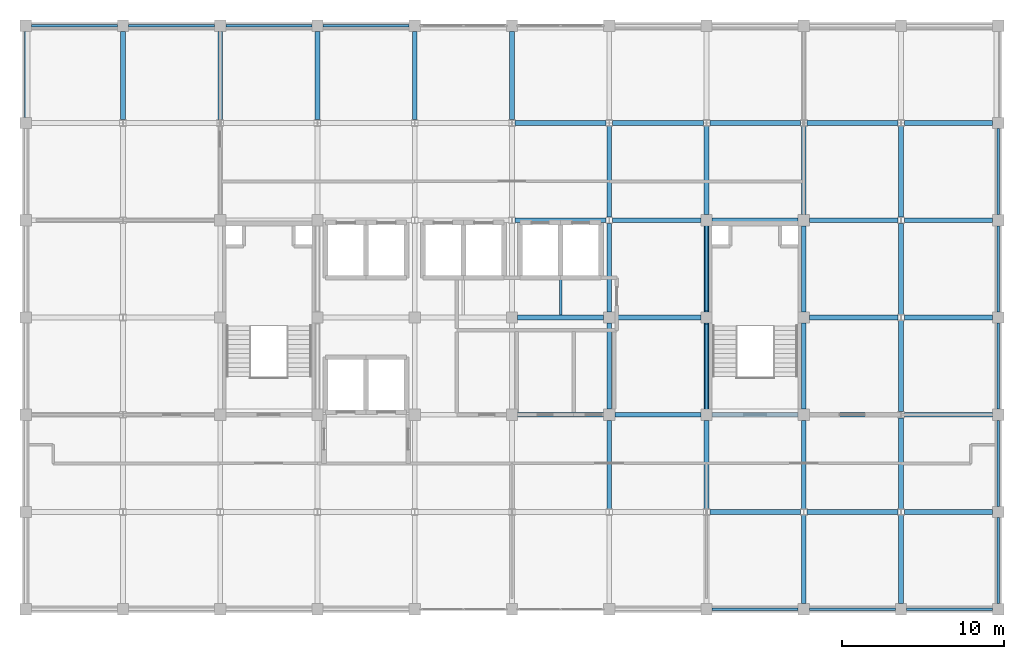
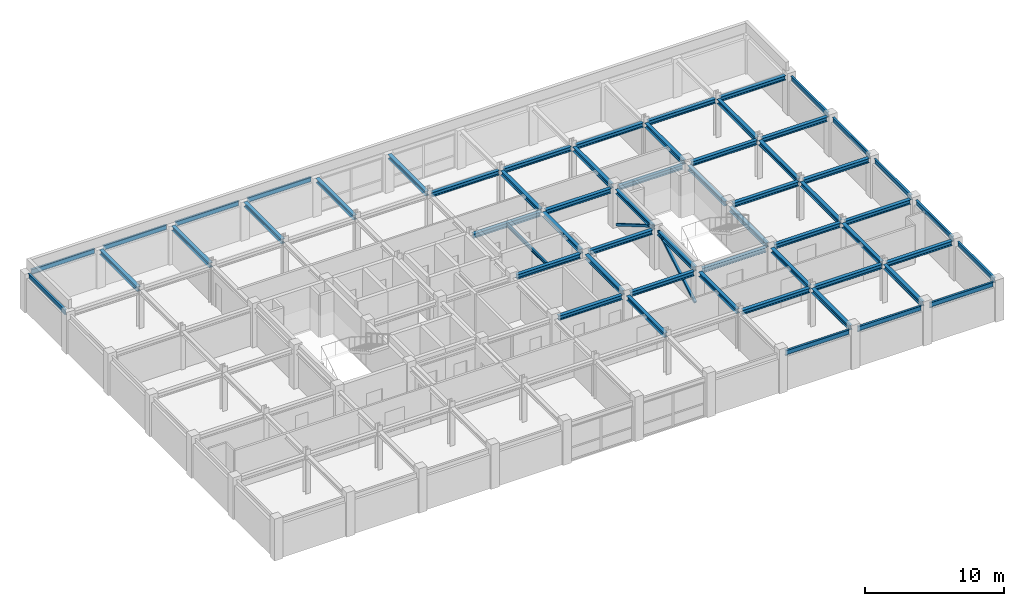
# One storey, part 7 of 12: 59 beams, 2 members.
"""IFC4 building model written with IfcOpenShell, lengths in metres."""

from ifc_helpers import new_model, si_unit, direction, frame, origin, origin_2d, place, context, subcontext, project, spatial, hollow_rectangle, i_section, extrude, material, material_profile, profile_set, type_object, element, save


model = new_model("IFC4")

# Units and contexts
model_context = context("Model", 3, precision=1e-05, world=origin(), true_north=direction((0.0, 1.0)))
body_context = subcontext(model_context, "Body", "Model", "MODEL_VIEW")
ifc_project = project(units=[si_unit("LENGTHUNIT", "METRE"), si_unit("AREAUNIT", "SQUARE_METRE"), si_unit("VOLUMEUNIT", "CUBIC_METRE"), si_unit("PLANEANGLEUNIT", "RADIAN"), si_unit("MASSUNIT", "GRAM", prefix="KILO")], contexts=[model_context])

# Site, building, storey
site_placement = place(None, origin())
site = spatial("IfcSite", under=ifc_project, at=site_placement, CompositionType="ELEMENT")
building_placement = place(site_placement, origin())
building = spatial("IfcBuilding", under=site, at=building_placement, Name="Zlatovratsky Civic Hall", CompositionType="ELEMENT")
storey_placement = place(building_placement, frame((0.0, 0.0, 32.699951171875)))
storey = spatial("IfcBuildingStorey", under=building, at=storey_placement, Name="L08", CompositionType="ELEMENT", Elevation=32.699951171875)

# Beams
ifc_material = material(Name="Steel S355", Category="steel")
ifc_material_profile_1 = material_profile(ifc_material, i_section(OverallWidth=0.169921875, OverallDepth=0.446044921875, WebThickness=0.007568359375, FlangeThickness=0.010986328125, FilletRadius=0.01611328125, at=origin_2d()), Name="45B1")
ifc_profile_set_1 = profile_set([ifc_material_profile_1], Name="Steel S355")
beam_type_1 = type_object("IfcBeamType", Name="Beam_Spandrel_45B1", PredefinedType="SPANDREL", material=ifc_profile_set_1)
for number, where, z_axis, x_axis, name in (
    (1, (96.35009765625, 72.0, 3.177001953125), (1.0, 0.0, 0.0), (0.0, 1.0, 0.0), "BM-4388"),
    (2, (102.35009765625, 72.0, 3.177001953125), (1.0, 0.0, 0.0), (0.0, 1.0, 0.0), "BM-4389"),
    (3, (108.35009765625, 72.0, 3.177001953125), (1.0, 0.0, 0.0), (0.0, 1.0, 0.0), "BM-4390"),
    (4, (54.35009765625, 108.0, 3.177001953125), (1.0, 0.0, 0.0), (0.0, 1.0, 0.0), "BM-4439"),
    (5, (60.35009765625, 108.0, 3.177001953125), (1.0, 0.0, 0.0), (0.0, 1.0, 0.0), "BM-4440"),
    (6, (66.35009765625, 108.0, 3.177001953125), (1.0, 0.0, 0.0), (0.0, 1.0, 0.0), "BM-4441"),
    (7, (72.35009765625, 108.0, 3.177001953125), (1.0, 0.0, 0.0), (0.0, 1.0, 0.0), "BM-4442"),
    (8, (54.0, 102.35009765625, 3.177001953125), (0.0, 1.0, 0.0), (-1.0, 0.0, 0.0), "BM-4454"),
    (9, (114.0, 72.35009765625, 3.177001953125), (0.0, 1.0, 0.0), (-1.0, 0.0, 0.0), "BM-4509"),
    (10, (114.0, 78.35009765625, 3.177001953125), (0.0, 1.0, 0.0), (-1.0, 0.0, 0.0), "BM-4510"),
    (11, (114.0, 84.35009765625, 3.177001953125), (0.0, 1.0, 0.0), (-1.0, 0.0, 0.0), "BM-4511"),
    (12, (114.0, 90.35009765625, 3.177001953125), (0.0, 1.0, 0.0), (-1.0, 0.0, 0.0), "BM-4512"),
    (13, (114.0, 96.35009765625, 3.177001953125), (0.0, 1.0, 0.0), (-1.0, 0.0, 0.0), "BM-4513"),
):
    element("IfcBeam", number, at=place(storey_placement, frame(where, z_axis=z_axis, x_axis=x_axis)), inside=storey, type_object=beam_type_1, Name=name, PredefinedType="SPANDREL", context=body_context, shape_type="SweptSolid", body=[
        extrude(i_section(OverallWidth=0.169921875, OverallDepth=0.446044921875, WebThickness=0.007568359375, FlangeThickness=0.010986328125, FilletRadius=0.01611328125, at=origin_2d()), origin(), (0.0, 0.0, 1.0), 5.2998046875),
    ])
ifc_material_profile_2 = material_profile(ifc_material, i_section(OverallWidth=0.300048828125, OverallDepth=0.387939453125, WebThickness=0.009521484375, FlangeThickness=0.013916015625, FilletRadius=0.02197265625, at=origin_2d()), Name="40Sh1")
ifc_profile_set_2 = profile_set([ifc_material_profile_2], Name="Steel S355")
beam_type_2 = type_object("IfcBeamType", Name="Beam_TowerMid_40Sh1", PredefinedType="BEAM", material=ifc_profile_set_2)
for number, where, z_axis, x_axis, name in (
    (14, (96.198974609375, 78.0, 3.2060546875), (1.0, 0.0, 0.0), (0.0, 1.0, 0.0), "BM-4398"),
    (15, (102.198974609375, 78.0, 3.2060546875), (1.0, 0.0, 0.0), (0.0, 1.0, 0.0), "BM-4399"),
):
    element("IfcBeam", number, at=place(storey_placement, frame(where, z_axis=z_axis, x_axis=x_axis)), inside=storey, type_object=beam_type_2, Name=name, PredefinedType="BEAM", context=body_context, shape_type="SweptSolid", body=[
        extrude(i_section(OverallWidth=0.300048828125, OverallDepth=0.387939453125, WebThickness=0.009521484375, FlangeThickness=0.013916015625, FilletRadius=0.02197265625, at=origin_2d()), origin(), (0.0, 0.0, 1.0), 5.60205078125),
    ])
beam_1_placement = place(storey_placement, frame((108.198974609375, 78.0, 3.2060546875), z_axis=(1.0, 0.0, 0.0), x_axis=(0.0, 1.0, 0.0)))
element("IfcBeam", 16, at=beam_1_placement, inside=storey, type_object=beam_type_2, Name="BM-4400", PredefinedType="BEAM", context=body_context, shape_type="SweptSolid", body=[
    extrude(i_section(OverallWidth=0.300048828125, OverallDepth=0.387939453125, WebThickness=0.009521484375, FlangeThickness=0.013916015625, FilletRadius=0.02197265625, at=origin_2d()), origin(), (0.0, 0.0, 1.0), 5.450927734375),
])
for number, where, z_axis, x_axis, name in (
    (17, (84.35009765625, 84.0, 3.2060546875), (1.0, 0.0, 0.0), (0.0, 1.0, 0.0), "BM-4406"),
    (18, (90.35009765625, 84.0, 3.2060546875), (1.0, 0.0, 0.0), (0.0, 1.0, 0.0), "BM-4407"),
    (19, (96.35009765625, 84.0, 3.2060546875), (1.0, 0.0, 0.0), (0.0, 1.0, 0.0), "BM-4408"),
):
    element("IfcBeam", number, at=place(storey_placement, frame(where, z_axis=z_axis, x_axis=x_axis)), inside=storey, type_object=beam_type_2, Name=name, PredefinedType="BEAM", context=body_context, shape_type="SweptSolid", body=[
        extrude(i_section(OverallWidth=0.300048828125, OverallDepth=0.387939453125, WebThickness=0.009521484375, FlangeThickness=0.013916015625, FilletRadius=0.02197265625, at=origin_2d()), origin(), (0.0, 0.0, 1.0), 5.2998046875),
    ])
for number, where, z_axis, x_axis, name in (
    (20, (102.35009765625, 84.0, 3.2060546875), (1.0, 0.0, 0.0), (0.0, 1.0, 0.0), "BM-4409"),
    (21, (108.198974609375, 84.0, 3.2060546875), (1.0, 0.0, 0.0), (0.0, 1.0, 0.0), "BM-4410"),
):
    element("IfcBeam", number, at=place(storey_placement, frame(where, z_axis=z_axis, x_axis=x_axis)), inside=storey, type_object=beam_type_2, Name=name, PredefinedType="BEAM", context=body_context, shape_type="SweptSolid", body=[
        extrude(i_section(OverallWidth=0.300048828125, OverallDepth=0.387939453125, WebThickness=0.009521484375, FlangeThickness=0.013916015625, FilletRadius=0.02197265625, at=origin_2d()), origin(), (0.0, 0.0, 1.0), 5.450927734375),
    ])
for number, where, z_axis, x_axis, name in (
    (22, (84.35009765625, 90.0, 3.2060546875), (1.0, 0.0, 0.0), (0.0, 1.0, 0.0), "BM-4415"),
    (23, (90.35009765625, 90.0, 3.2060546875), (1.0, 0.0, 0.0), (0.0, 1.0, 0.0), "BM-4416"),
):
    element("IfcBeam", number, at=place(storey_placement, frame(where, z_axis=z_axis, x_axis=x_axis)), inside=storey, type_object=beam_type_2, Name=name, PredefinedType="BEAM", context=body_context, shape_type="SweptSolid", body=[
        extrude(i_section(OverallWidth=0.300048828125, OverallDepth=0.387939453125, WebThickness=0.009521484375, FlangeThickness=0.013916015625, FilletRadius=0.02197265625, at=origin_2d()), origin(), (0.0, 0.0, 1.0), 5.2998046875),
    ])
for number, where, z_axis, x_axis, name in (
    (24, (102.35009765625, 90.0, 3.2060546875), (1.0, 0.0, 0.0), (0.0, 1.0, 0.0), "BM-4417"),
    (25, (108.198974609375, 90.0, 3.2060546875), (1.0, 0.0, 0.0), (0.0, 1.0, 0.0), "BM-4418"),
):
    element("IfcBeam", number, at=place(storey_placement, frame(where, z_axis=z_axis, x_axis=x_axis)), inside=storey, type_object=beam_type_2, Name=name, PredefinedType="BEAM", context=body_context, shape_type="SweptSolid", body=[
        extrude(i_section(OverallWidth=0.300048828125, OverallDepth=0.387939453125, WebThickness=0.009521484375, FlangeThickness=0.013916015625, FilletRadius=0.02197265625, at=origin_2d()), origin(), (0.0, 0.0, 1.0), 5.450927734375),
    ])
beam_2_placement = place(storey_placement, frame((84.198974609375, 96.0, 3.2060546875), z_axis=(1.0, 0.0, 0.0), x_axis=(0.0, 1.0, 0.0)))
element("IfcBeam", 26, at=beam_2_placement, inside=storey, type_object=beam_type_2, Name="BM-4424", PredefinedType="BEAM", context=body_context, shape_type="SweptSolid", body=[
    extrude(i_section(OverallWidth=0.300048828125, OverallDepth=0.387939453125, WebThickness=0.009521484375, FlangeThickness=0.013916015625, FilletRadius=0.02197265625, at=origin_2d()), origin(), (0.0, 0.0, 1.0), 5.60205078125),
])
beam_3_placement = place(storey_placement, frame((90.198974609375, 96.0, 3.2060546875), z_axis=(1.0, 0.0, 0.0), x_axis=(0.0, 1.0, 0.0)))
element("IfcBeam", 27, at=beam_3_placement, inside=storey, type_object=beam_type_2, Name="BM-4425", PredefinedType="BEAM", context=body_context, shape_type="SweptSolid", body=[
    extrude(i_section(OverallWidth=0.300048828125, OverallDepth=0.387939453125, WebThickness=0.009521484375, FlangeThickness=0.013916015625, FilletRadius=0.02197265625, at=origin_2d()), origin(), (0.0, 0.0, 1.0), 5.450927734375),
])
beam_4_placement = place(storey_placement, frame((96.35009765625, 96.0, 3.2060546875), z_axis=(1.0, 0.0, 0.0), x_axis=(0.0, 1.0, 0.0)))
element("IfcBeam", 28, at=beam_4_placement, inside=storey, type_object=beam_type_2, Name="BM-4426", PredefinedType="BEAM", context=body_context, shape_type="SweptSolid", body=[
    extrude(i_section(OverallWidth=0.300048828125, OverallDepth=0.387939453125, WebThickness=0.009521484375, FlangeThickness=0.013916015625, FilletRadius=0.02197265625, at=origin_2d()), origin(), (0.0, 0.0, 1.0), 5.2998046875),
])
for number, where, z_axis, x_axis, name in (
    (29, (102.35009765625, 96.0, 3.2060546875), (1.0, 0.0, 0.0), (0.0, 1.0, 0.0), "BM-4427"),
    (30, (108.198974609375, 96.0, 3.2060546875), (1.0, 0.0, 0.0), (0.0, 1.0, 0.0), "BM-4428"),
):
    element("IfcBeam", number, at=place(storey_placement, frame(where, z_axis=z_axis, x_axis=x_axis)), inside=storey, type_object=beam_type_2, Name=name, PredefinedType="BEAM", context=body_context, shape_type="SweptSolid", body=[
        extrude(i_section(OverallWidth=0.300048828125, OverallDepth=0.387939453125, WebThickness=0.009521484375, FlangeThickness=0.013916015625, FilletRadius=0.02197265625, at=origin_2d()), origin(), (0.0, 0.0, 1.0), 5.450927734375),
    ])
for number, where, z_axis, x_axis, name in (
    (31, (84.198974609375, 102.0, 3.2060546875), (1.0, 0.0, 0.0), (0.0, 1.0, 0.0), "BM-4434"),
    (32, (90.198974609375, 102.0, 3.2060546875), (1.0, 0.0, 0.0), (0.0, 1.0, 0.0), "BM-4435"),
    (33, (96.198974609375, 102.0, 3.2060546875), (1.0, 0.0, 0.0), (0.0, 1.0, 0.0), "BM-4436"),
    (34, (102.198974609375, 102.0, 3.2060546875), (1.0, 0.0, 0.0), (0.0, 1.0, 0.0), "BM-4437"),
):
    element("IfcBeam", number, at=place(storey_placement, frame(where, z_axis=z_axis, x_axis=x_axis)), inside=storey, type_object=beam_type_2, Name=name, PredefinedType="BEAM", context=body_context, shape_type="SweptSolid", body=[
        extrude(i_section(OverallWidth=0.300048828125, OverallDepth=0.387939453125, WebThickness=0.009521484375, FlangeThickness=0.013916015625, FilletRadius=0.02197265625, at=origin_2d()), origin(), (0.0, 0.0, 1.0), 5.60205078125),
    ])
beam_5_placement = place(storey_placement, frame((108.198974609375, 102.0, 3.2060546875), z_axis=(1.0, 0.0, 0.0), x_axis=(0.0, 1.0, 0.0)))
element("IfcBeam", 35, at=beam_5_placement, inside=storey, type_object=beam_type_2, Name="BM-4438", PredefinedType="BEAM", context=body_context, shape_type="SweptSolid", body=[
    extrude(i_section(OverallWidth=0.300048828125, OverallDepth=0.387939453125, WebThickness=0.009521484375, FlangeThickness=0.013916015625, FilletRadius=0.02197265625, at=origin_2d()), origin(), (0.0, 0.0, 1.0), 5.450927734375),
])
for number, where, z_axis, x_axis, name in (
    (36, (60.0, 102.197021484375, 3.2060546875), (0.0, 1.0, 0.0), (-1.0, 0.0, 0.0), "BM-4460"),
    (37, (66.0, 102.197021484375, 3.2060546875), (0.0, 1.0, 0.0), (-1.0, 0.0, 0.0), "BM-4466"),
    (38, (72.0, 102.197021484375, 3.2060546875), (0.0, 1.0, 0.0), (-1.0, 0.0, 0.0), "BM-4472"),
    (39, (78.0, 102.197021484375, 3.2060546875), (0.0, 1.0, 0.0), (-1.0, 0.0, 0.0), "BM-4478"),
    (40, (84.0, 102.197021484375, 3.2060546875), (0.0, 1.0, 0.0), (-1.0, 0.0, 0.0), "BM-4484"),
    (41, (90.0, 78.197021484375, 3.2060546875), (0.0, 1.0, 0.0), (-1.0, 0.0, 0.0), "BM-4486"),
):
    element("IfcBeam", number, at=place(storey_placement, frame(where, z_axis=z_axis, x_axis=x_axis)), inside=storey, type_object=beam_type_2, Name=name, PredefinedType="BEAM", context=body_context, shape_type="SweptSolid", body=[
        extrude(i_section(OverallWidth=0.300048828125, OverallDepth=0.387939453125, WebThickness=0.009521484375, FlangeThickness=0.013916015625, FilletRadius=0.02197265625, at=origin_2d()), origin(), (0.0, 0.0, 1.0), 5.452880859375),
    ])
beam_6_placement = place(storey_placement, frame((90.0, 84.35009765625, 3.2060546875), z_axis=(0.0, 1.0, 0.0), x_axis=(-1.0, 0.0, 0.0)))
element("IfcBeam", 42, at=beam_6_placement, inside=storey, type_object=beam_type_2, Name="BM-4487", PredefinedType="BEAM", context=body_context, shape_type="SweptSolid", body=[
    extrude(i_section(OverallWidth=0.300048828125, OverallDepth=0.387939453125, WebThickness=0.009521484375, FlangeThickness=0.013916015625, FilletRadius=0.02197265625, at=origin_2d()), origin(), (0.0, 0.0, 1.0), 5.2998046875),
])
beam_7_placement = place(storey_placement, frame((90.0, 90.35009765625, 3.2060546875), z_axis=(0.0, 1.0, 0.0), x_axis=(-1.0, 0.0, 0.0)))
element("IfcBeam", 43, at=beam_7_placement, inside=storey, type_object=beam_type_2, Name="BM-4488", PredefinedType="BEAM", context=body_context, shape_type="SweptSolid", body=[
    extrude(i_section(OverallWidth=0.300048828125, OverallDepth=0.387939453125, WebThickness=0.009521484375, FlangeThickness=0.013916015625, FilletRadius=0.02197265625, at=origin_2d()), origin(), (0.0, 0.0, 1.0), 5.452880859375),
])
beam_8_placement = place(storey_placement, frame((90.0, 96.197021484375, 3.2060546875), z_axis=(0.0, 1.0, 0.0), x_axis=(-1.0, 0.0, 0.0)))
element("IfcBeam", 44, at=beam_8_placement, inside=storey, type_object=beam_type_2, Name="BM-4489", PredefinedType="BEAM", context=body_context, shape_type="SweptSolid", body=[
    extrude(i_section(OverallWidth=0.300048828125, OverallDepth=0.387939453125, WebThickness=0.009521484375, FlangeThickness=0.013916015625, FilletRadius=0.02197265625, at=origin_2d()), origin(), (0.0, 0.0, 1.0), 5.60595703125),
])
beam_9_placement = place(storey_placement, frame((96.0, 78.197021484375, 3.2060546875), z_axis=(0.0, 1.0, 0.0), x_axis=(-1.0, 0.0, 0.0)))
element("IfcBeam", 45, at=beam_9_placement, inside=storey, type_object=beam_type_2, Name="BM-4492", PredefinedType="BEAM", context=body_context, shape_type="SweptSolid", body=[
    extrude(i_section(OverallWidth=0.300048828125, OverallDepth=0.387939453125, WebThickness=0.009521484375, FlangeThickness=0.013916015625, FilletRadius=0.02197265625, at=origin_2d()), origin(), (0.0, 0.0, 1.0), 5.452880859375),
])
for number, where, z_axis, x_axis, name in (
    (46, (96.0, 84.35009765625, 3.2060546875), (0.0, 1.0, 0.0), (-1.0, 0.0, 0.0), "BM-4493"),
    (47, (96.0, 90.35009765625, 3.2060546875), (0.0, 1.0, 0.0), (-1.0, 0.0, 0.0), "BM-4494"),
):
    element("IfcBeam", number, at=place(storey_placement, frame(where, z_axis=z_axis, x_axis=x_axis)), inside=storey, type_object=beam_type_2, Name=name, PredefinedType="BEAM", context=body_context, shape_type="SweptSolid", body=[
        extrude(i_section(OverallWidth=0.300048828125, OverallDepth=0.387939453125, WebThickness=0.009521484375, FlangeThickness=0.013916015625, FilletRadius=0.02197265625, at=origin_2d()), origin(), (0.0, 0.0, 1.0), 5.2998046875),
    ])
for number, where, z_axis, x_axis, name in (
    (48, (96.0, 96.35009765625, 3.2060546875), (0.0, 1.0, 0.0), (-1.0, 0.0, 0.0), "BM-4495"),
    (49, (102.0, 72.35009765625, 3.2060546875), (0.0, 1.0, 0.0), (-1.0, 0.0, 0.0), "BM-4497"),
    (50, (102.0, 78.197021484375, 3.2060546875), (0.0, 1.0, 0.0), (-1.0, 0.0, 0.0), "BM-4498"),
):
    element("IfcBeam", number, at=place(storey_placement, frame(where, z_axis=z_axis, x_axis=x_axis)), inside=storey, type_object=beam_type_2, Name=name, PredefinedType="BEAM", context=body_context, shape_type="SweptSolid", body=[
        extrude(i_section(OverallWidth=0.300048828125, OverallDepth=0.387939453125, WebThickness=0.009521484375, FlangeThickness=0.013916015625, FilletRadius=0.02197265625, at=origin_2d()), origin(), (0.0, 0.0, 1.0), 5.452880859375),
    ])
for number, where, z_axis, x_axis, name in (
    (51, (102.0, 84.35009765625, 3.2060546875), (0.0, 1.0, 0.0), (-1.0, 0.0, 0.0), "BM-4499"),
    (52, (102.0, 90.35009765625, 3.2060546875), (0.0, 1.0, 0.0), (-1.0, 0.0, 0.0), "BM-4500"),
):
    element("IfcBeam", number, at=place(storey_placement, frame(where, z_axis=z_axis, x_axis=x_axis)), inside=storey, type_object=beam_type_2, Name=name, PredefinedType="BEAM", context=body_context, shape_type="SweptSolid", body=[
        extrude(i_section(OverallWidth=0.300048828125, OverallDepth=0.387939453125, WebThickness=0.009521484375, FlangeThickness=0.013916015625, FilletRadius=0.02197265625, at=origin_2d()), origin(), (0.0, 0.0, 1.0), 5.2998046875),
    ])
for number, where, z_axis, x_axis, name in (
    (53, (102.0, 96.35009765625, 3.2060546875), (0.0, 1.0, 0.0), (-1.0, 0.0, 0.0), "BM-4501"),
    (54, (108.0, 72.35009765625, 3.2060546875), (0.0, 1.0, 0.0), (-1.0, 0.0, 0.0), "BM-4503"),
):
    element("IfcBeam", number, at=place(storey_placement, frame(where, z_axis=z_axis, x_axis=x_axis)), inside=storey, type_object=beam_type_2, Name=name, PredefinedType="BEAM", context=body_context, shape_type="SweptSolid", body=[
        extrude(i_section(OverallWidth=0.300048828125, OverallDepth=0.387939453125, WebThickness=0.009521484375, FlangeThickness=0.013916015625, FilletRadius=0.02197265625, at=origin_2d()), origin(), (0.0, 0.0, 1.0), 5.452880859375),
    ])
for number, where, z_axis, x_axis, name in (
    (55, (108.0, 78.197021484375, 3.2060546875), (0.0, 1.0, 0.0), (-1.0, 0.0, 0.0), "BM-4504"),
    (56, (108.0, 84.197021484375, 3.2060546875), (0.0, 1.0, 0.0), (-1.0, 0.0, 0.0), "BM-4505"),
    (57, (108.0, 90.197021484375, 3.2060546875), (0.0, 1.0, 0.0), (-1.0, 0.0, 0.0), "BM-4506"),
    (58, (108.0, 96.197021484375, 3.2060546875), (0.0, 1.0, 0.0), (-1.0, 0.0, 0.0), "BM-4507"),
):
    element("IfcBeam", number, at=place(storey_placement, frame(where, z_axis=z_axis, x_axis=x_axis)), inside=storey, type_object=beam_type_2, Name=name, PredefinedType="BEAM", context=body_context, shape_type="SweptSolid", body=[
        extrude(i_section(OverallWidth=0.300048828125, OverallDepth=0.387939453125, WebThickness=0.009521484375, FlangeThickness=0.013916015625, FilletRadius=0.02197265625, at=origin_2d()), origin(), (0.0, 0.0, 1.0), 5.60595703125),
    ])

# Members
ifc_material_profile_3 = material_profile(ifc_material, hollow_rectangle(XDim=0.199951171875, YDim=0.199951171875, WallThickness=0.010009765625, at=origin_2d()), Name="SHS 200x200x10")
ifc_profile_set_3 = profile_set([ifc_material_profile_3], Name="Steel S355")
member_type = type_object("IfcMemberType", Name="Brace_TowerLow_SHS200", PredefinedType="BRACE", material=ifc_profile_set_3)
for number, where, z_axis, x_axis, name in (
    (59, (96.0, 84.35009765625, 0.25), (0.0, 0.863172562464, 0.504909028845), (-1.0, 0.0, 0.0), "MB-0138"),
    (60, (96.0, 90.35009765625, 3.35009765625), (0.0, 0.863172562464, -0.504909028845), (-1.0, 0.0, 0.0), "MB-0139"),
):
    element("IfcMember", number, at=place(storey_placement, frame(where, z_axis=z_axis, x_axis=x_axis)), inside=storey, type_object=member_type, Name=name, PredefinedType="BRACE", context=body_context, shape_type="SweptSolid", body=[
        extrude(hollow_rectangle(XDim=0.199951171875, YDim=0.199951171875, WallThickness=0.010009765625, at=origin_2d()), origin(), (0.0, 0.0, 1.0), 6.139892578125),
    ])

# Beam
ifc_material_profile_4 = material_profile(ifc_material, i_section(OverallWidth=0.14892578125, OverallDepth=0.2958984375, WebThickness=0.005615234375, FlangeThickness=0.008056640625, FilletRadius=0.012939453125, at=origin_2d()), Name="30B1")
ifc_profile_set_4 = profile_set([ifc_material_profile_4], Name="Steel S355")
beam_type_3 = type_object("IfcBeamType", Name="Joist_Tower_30B1", PredefinedType="JOIST", material=ifc_profile_set_4)
beam_10_placement = place(storey_placement, frame((87.0, 90.14990234375, 3.251953125), z_axis=(0.0, 1.0, 0.0), x_axis=(-1.0, 0.0, 0.0)))
element("IfcBeam", 61, at=beam_10_placement, inside=storey, type_object=beam_type_3, Name="BM-4516", PredefinedType="JOIST", context=body_context, shape_type="SweptSolid", body=[
    extrude(i_section(OverallWidth=0.14892578125, OverallDepth=0.2958984375, WebThickness=0.005615234375, FlangeThickness=0.008056640625, FilletRadius=0.012939453125, at=origin_2d()), origin(), (0.0, 0.0, 1.0), 5.7001953125),
])

save(model, "model.ifc")
